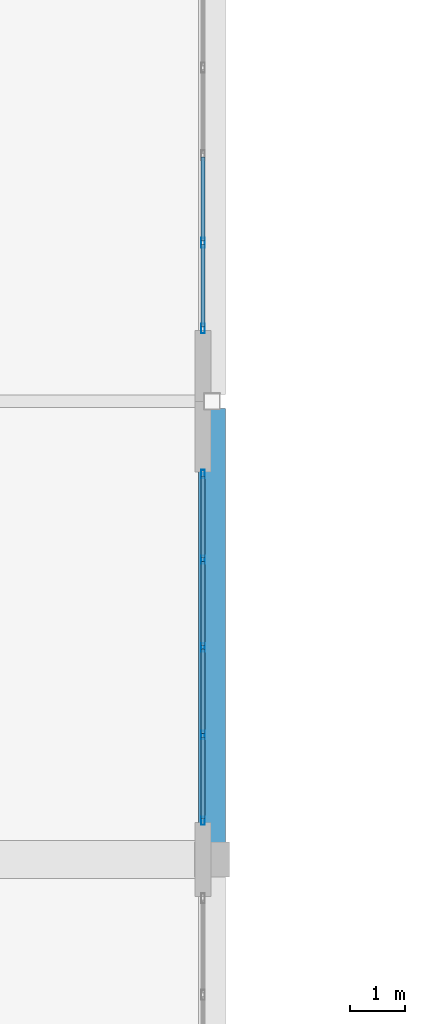
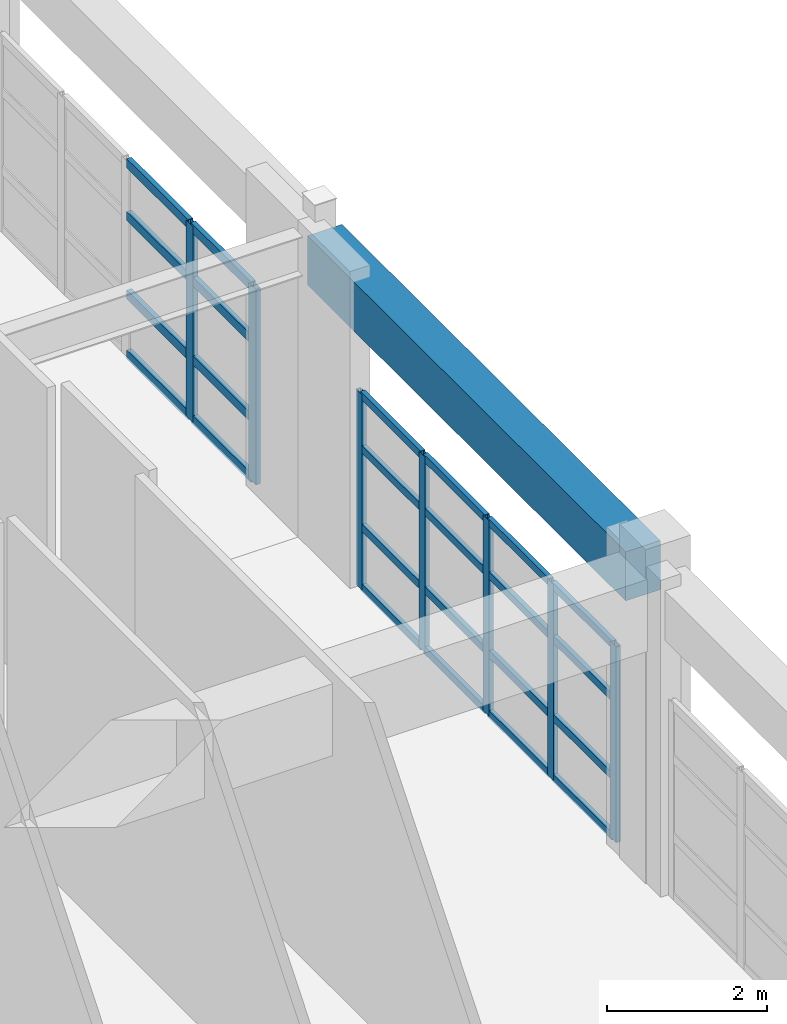
# One storey, part 18 of 78: 31 members, 1 beam, 2 elements without a shape of their own.
"""IFC4 building model written with IfcOpenShell, lengths in metres."""

from ifc_helpers import new_model, si_unit, direction, frame, origin, origin_2d, place, context, subcontext, project, spatial, rectangle, hollow_rectangle, extrude, material, layer, layer_set, material_profile, profile_set, type_object, element, aggregate, save


model = new_model("IFC4")

# Units and contexts
model_context = context("Model", 3, precision=1e-05, world=origin(), true_north=direction((0.0, 1.0)))
body_context = subcontext(model_context, "Body", "Model", "MODEL_VIEW")
ifc_project = project(units=[si_unit("LENGTHUNIT", "METRE"), si_unit("AREAUNIT", "SQUARE_METRE"), si_unit("VOLUMEUNIT", "CUBIC_METRE"), si_unit("PLANEANGLEUNIT", "RADIAN"), si_unit("MASSUNIT", "GRAM", prefix="KILO")], contexts=[model_context])

# Site, building, storey
site_placement = place(None, origin())
site = spatial("IfcSite", under=ifc_project, at=site_placement, CompositionType="ELEMENT")
building_placement = place(site_placement, origin())
building = spatial("IfcBuilding", under=site, at=building_placement, Name="Quendrovan Civic Courthouse", CompositionType="ELEMENT")
storey_placement = place(building_placement, frame((0.0, 0.0, 20.39990234375)))
storey = spatial("IfcBuildingStorey", under=building, at=storey_placement, Name="L05", CompositionType="ELEMENT", Elevation=20.39990234375)

# Beam
ifc_material_1 = material(Name="Concrete C40/50", Category="concrete")
ifc_material_profile_1 = material_profile(ifc_material_1, rectangle(XDim=0.5, YDim=0.75, at=origin_2d()), Name="RC-BM-500x750")
ifc_profile_set_1 = profile_set([ifc_material_profile_1], Name="Concrete C40/50")
beam_type = type_object("IfcBeamType", Name="BM-RC750", PredefinedType="SPANDREL", material=ifc_profile_set_1)
beam_placement = place(storey_placement, frame((16.800048828125, 48.304931640625, 4.28515625), z_axis=(0.0, 1.0, 0.0), x_axis=(-1.0, 0.0, 0.0)))
element("IfcBeam", 1, at=beam_placement, inside=storey, type_object=beam_type, Name="L05 Girder Y1068", PredefinedType="SPANDREL", context=body_context, shape_type="SweptSolid", body=[
    extrude(rectangle(XDim=0.5, YDim=0.75, at=origin_2d()), origin(), (0.0, 0.0, 1.0), 7.965087890625),
])

# Curtain wall, members
ifc_material_2 = material(Name="Bronze anodised aluminium and low-E glass", Category="aluminium")
ifc_layer = layer(ifc_material_2, 0.179931640625, Name="Bronze anodised aluminium and low-E glass")
ifc_layer_set = layer_set([ifc_layer], Name="Bronze anodised aluminium and low-E glass")
curtain_wall_type = type_object("IfcCurtainWallType", Name="CW-U64x30", PredefinedType="USERDEFINED", material=ifc_layer_set)
curtain_wall_1_placement = place(storey_placement, origin())
curtain_wall_1 = element("IfcCurtainWall", 2, at=curtain_wall_1_placement, inside=storey, type_object=curtain_wall_type, Name="L05 Unitised Hurricane Curtain Wall CW-184", ObjectType="UNITISED CURTAIN WALL", PredefinedType="USERDEFINED")
ifc_material_3 = material(Name="Bronze anodised aluminium", Category="aluminium")
ifc_material_profile_2 = material_profile(ifc_material_3, hollow_rectangle(XDim=0.070068359375, YDim=0.179931640625, WallThickness=0.00390625, at=origin_2d()), Name="CW-MULL-70x180")
ifc_profile_set_2 = profile_set([ifc_material_profile_2], Name="Bronze anodised aluminium")
member_type_1 = type_object("IfcMemberType", Name="CW-MULL-A", PredefinedType="MULLION", material=ifc_profile_set_2)
member_1_placement = place(storey_placement, frame((16.635009765625, 59.30615234375, 0.0), z_axis=(0.0, 0.0, 1.0), x_axis=(1.0, 0.0, 0.0)))
member_1 = element("IfcMember", 3, at=member_1_placement, type_object=member_type_1, Name="CW-184 mullion 4", PredefinedType="MULLION", context=body_context, shape_type="SweptSolid", body=[
    extrude(hollow_rectangle(XDim=0.070068359375, YDim=0.179931640625, WallThickness=0.00390625, at=origin_2d()), origin(), (0.0, 0.0, 1.0), 2.989990234375),
])
member_2_placement = place(storey_placement, frame((16.635009765625, 57.735107421875, 0.0), z_axis=(0.0, 0.0, 1.0), x_axis=(1.0, 0.0, 0.0)))
member_2 = element("IfcMember", 4, at=member_2_placement, type_object=member_type_1, Name="CW-184 mullion 5", PredefinedType="MULLION", context=body_context, shape_type="SweptSolid", body=[
    extrude(hollow_rectangle(XDim=0.070068359375, YDim=0.179931640625, WallThickness=0.00390625, at=origin_2d()), origin(), (0.0, 0.0, 1.0), 2.989990234375),
])

curtain_wall_2_placement = place(storey_placement, origin())
curtain_wall_2 = element("IfcCurtainWall", 5, at=curtain_wall_2_placement, inside=storey, type_object=curtain_wall_type, Name="L05 Unitised Hurricane Curtain Wall CW-185", ObjectType="UNITISED CURTAIN WALL", PredefinedType="USERDEFINED")
ifc_material_profile_3 = material_profile(ifc_material_3, hollow_rectangle(XDim=0.06494140625, YDim=0.14990234375, WallThickness=0.00390625, at=origin_2d()), Name="CW-MULL-65x150")
ifc_profile_set_3 = profile_set([ifc_material_profile_3], Name="Bronze anodised aluminium")
member_type_2 = type_object("IfcMemberType", Name="CW-MULL-B", PredefinedType="MULLION", material=ifc_profile_set_3)
member_3_placement = place(storey_placement, frame((16.635009765625, 55.0673828125, 0.0), z_axis=(0.0, 0.0, 1.0), x_axis=(1.0, 0.0, 0.0)))
member_3 = element("IfcMember", 6, at=member_3_placement, type_object=member_type_2, Name="CW-185 mullion 1", PredefinedType="MULLION", context=body_context, shape_type="SweptSolid", body=[
    extrude(hollow_rectangle(XDim=0.06494140625, YDim=0.14990234375, WallThickness=0.00390625, at=origin_2d()), origin(), (0.0, 0.0, 1.0), 2.989990234375),
])
member_4_placement = place(storey_placement, frame((16.635009765625, 53.49365234375, 0.0), z_axis=(0.0, 0.0, 1.0), x_axis=(1.0, 0.0, 0.0)))
member_4 = element("IfcMember", 7, at=member_4_placement, type_object=member_type_2, Name="CW-185 mullion 2", PredefinedType="MULLION", context=body_context, shape_type="SweptSolid", body=[
    extrude(hollow_rectangle(XDim=0.06494140625, YDim=0.14990234375, WallThickness=0.00390625, at=origin_2d()), origin(), (0.0, 0.0, 1.0), 2.989990234375),
])
member_5_placement = place(storey_placement, frame((16.635009765625, 51.887451171875, 0.0), z_axis=(0.0, 0.0, 1.0), x_axis=(1.0, 0.0, 0.0)))
member_5 = element("IfcMember", 8, at=member_5_placement, type_object=member_type_2, Name="CW-185 mullion 3", PredefinedType="MULLION", context=body_context, shape_type="SweptSolid", body=[
    extrude(hollow_rectangle(XDim=0.06494140625, YDim=0.14990234375, WallThickness=0.00390625, at=origin_2d()), origin(), (0.0, 0.0, 1.0), 2.989990234375),
])
member_6_placement = place(storey_placement, frame((16.635009765625, 50.28125, 0.0), z_axis=(0.0, 0.0, 1.0), x_axis=(1.0, 0.0, 0.0)))
member_6 = element("IfcMember", 9, at=member_6_placement, type_object=member_type_2, Name="CW-185 mullion 4", PredefinedType="MULLION", context=body_context, shape_type="SweptSolid", body=[
    extrude(hollow_rectangle(XDim=0.06494140625, YDim=0.14990234375, WallThickness=0.00390625, at=origin_2d()), origin(), (0.0, 0.0, 1.0), 2.989990234375),
])
member_7_placement = place(storey_placement, frame((16.635009765625, 48.70751953125, 0.0), z_axis=(0.0, 0.0, 1.0), x_axis=(1.0, 0.0, 0.0)))
member_7 = element("IfcMember", 10, at=member_7_placement, type_object=member_type_2, Name="CW-185 mullion 5", PredefinedType="MULLION", context=body_context, shape_type="SweptSolid", body=[
    extrude(hollow_rectangle(XDim=0.06494140625, YDim=0.14990234375, WallThickness=0.00390625, at=origin_2d()), origin(), (0.0, 0.0, 1.0), 2.989990234375),
])

# Member
ifc_material_profile_4 = material_profile(ifc_material_3, hollow_rectangle(XDim=0.070068359375, YDim=0.139892578125, WallThickness=0.00390625, at=origin_2d()), Name="CW-TRAN-70x140")
ifc_profile_set_4 = profile_set([ifc_material_profile_4], Name="Bronze anodised aluminium")
member_type_3 = type_object("IfcMemberType", Name="CW-TRAN-A", PredefinedType="USERDEFINED", material=ifc_profile_set_4)
member_8_placement = place(storey_placement, frame((16.635009765625, 60.87744140625, 0.03515625), z_axis=(0.0, -1.0, 0.0), x_axis=(1.0, 0.0, 0.0)))
member_8 = element("IfcMember", 11, at=member_8_placement, type_object=member_type_3, Name="CW-184 transom 3.1", ObjectType="TRANSOM", PredefinedType="USERDEFINED", context=body_context, shape_type="SweptSolid", body=[
    extrude(hollow_rectangle(XDim=0.070068359375, YDim=0.139892578125, WallThickness=0.00390625, at=origin_2d()), origin(), (0.0, 0.0, 1.0), 1.5361328125),
])

member_9_placement = place(storey_placement, frame((16.635009765625, 60.87744140625, 0.9501953125), z_axis=(0.0, -1.0, 0.0), x_axis=(1.0, 0.0, 0.0)))
member_9 = element("IfcMember", 12, at=member_9_placement, type_object=member_type_3, Name="CW-184 transom 3.2", ObjectType="TRANSOM", PredefinedType="USERDEFINED", context=body_context, shape_type="SweptSolid", body=[
    extrude(hollow_rectangle(XDim=0.070068359375, YDim=0.139892578125, WallThickness=0.00390625, at=origin_2d()), origin(), (0.0, 0.0, 1.0), 1.5361328125),
])

member_10_placement = place(storey_placement, frame((16.635009765625, 60.87744140625, 2.150146484375), z_axis=(0.0, -1.0, 0.0), x_axis=(1.0, 0.0, 0.0)))
member_10 = element("IfcMember", 13, at=member_10_placement, type_object=member_type_3, Name="CW-184 transom 3.3", ObjectType="TRANSOM", PredefinedType="USERDEFINED", context=body_context, shape_type="SweptSolid", body=[
    extrude(hollow_rectangle(XDim=0.070068359375, YDim=0.139892578125, WallThickness=0.00390625, at=origin_2d()), origin(), (0.0, 0.0, 1.0), 1.5361328125),
])

member_11_placement = place(storey_placement, frame((16.635009765625, 60.87744140625, 2.955078125), z_axis=(0.0, -1.0, 0.0), x_axis=(1.0, 0.0, 0.0)))
member_11 = element("IfcMember", 14, at=member_11_placement, type_object=member_type_3, Name="CW-184 transom 3.4", ObjectType="TRANSOM", PredefinedType="USERDEFINED", context=body_context, shape_type="SweptSolid", body=[
    extrude(hollow_rectangle(XDim=0.070068359375, YDim=0.139892578125, WallThickness=0.00390625, at=origin_2d()), origin(), (0.0, 0.0, 1.0), 1.5361328125),
])

member_12_placement = place(storey_placement, frame((16.635009765625, 59.271240234375, 0.03515625), z_axis=(0.0, -1.0, 0.0), x_axis=(1.0, 0.0, 0.0)))
member_12 = element("IfcMember", 15, at=member_12_placement, type_object=member_type_3, Name="CW-184 transom 4.1", ObjectType="TRANSOM", PredefinedType="USERDEFINED", context=body_context, shape_type="SweptSolid", body=[
    extrude(hollow_rectangle(XDim=0.070068359375, YDim=0.139892578125, WallThickness=0.00390625, at=origin_2d()), origin(), (0.0, 0.0, 1.0), 1.501220703125),
])

member_13_placement = place(storey_placement, frame((16.635009765625, 59.271240234375, 0.9501953125), z_axis=(0.0, -1.0, 0.0), x_axis=(1.0, 0.0, 0.0)))
member_13 = element("IfcMember", 16, at=member_13_placement, type_object=member_type_3, Name="CW-184 transom 4.2", ObjectType="TRANSOM", PredefinedType="USERDEFINED", context=body_context, shape_type="SweptSolid", body=[
    extrude(hollow_rectangle(XDim=0.070068359375, YDim=0.139892578125, WallThickness=0.00390625, at=origin_2d()), origin(), (0.0, 0.0, 1.0), 1.501220703125),
])

member_14_placement = place(storey_placement, frame((16.635009765625, 59.271240234375, 2.150146484375), z_axis=(0.0, -1.0, 0.0), x_axis=(1.0, 0.0, 0.0)))
member_14 = element("IfcMember", 17, at=member_14_placement, type_object=member_type_3, Name="CW-184 transom 4.3", ObjectType="TRANSOM", PredefinedType="USERDEFINED", context=body_context, shape_type="SweptSolid", body=[
    extrude(hollow_rectangle(XDim=0.070068359375, YDim=0.139892578125, WallThickness=0.00390625, at=origin_2d()), origin(), (0.0, 0.0, 1.0), 1.501220703125),
])

member_15_placement = place(storey_placement, frame((16.635009765625, 59.271240234375, 2.955078125), z_axis=(0.0, -1.0, 0.0), x_axis=(1.0, 0.0, 0.0)))
member_15 = element("IfcMember", 18, at=member_15_placement, type_object=member_type_3, Name="CW-184 transom 4.4", ObjectType="TRANSOM", PredefinedType="USERDEFINED", context=body_context, shape_type="SweptSolid", body=[
    extrude(hollow_rectangle(XDim=0.070068359375, YDim=0.139892578125, WallThickness=0.00390625, at=origin_2d()), origin(), (0.0, 0.0, 1.0), 1.501220703125),
])

aggregate(curtain_wall_1, [member_1, member_2, member_8, member_9, member_10, member_11, member_12, member_13, member_14, member_15])

ifc_material_profile_5 = material_profile(ifc_material_3, hollow_rectangle(XDim=0.06494140625, YDim=0.114990234375, WallThickness=0.00390625, at=origin_2d()), Name="CW-TRAN-65x115")
ifc_profile_set_5 = profile_set([ifc_material_profile_5], Name="Bronze anodised aluminium")
member_type_4 = type_object("IfcMemberType", Name="CW-TRAN-B", PredefinedType="USERDEFINED", material=ifc_profile_set_5)
member_16_placement = place(storey_placement, frame((16.635009765625, 55.034912109375, 0.03271484375), z_axis=(0.0, -1.0, 0.0), x_axis=(1.0, 0.0, 0.0)))
member_16 = element("IfcMember", 19, at=member_16_placement, type_object=member_type_4, Name="CW-185 transom 1.1", ObjectType="TRANSOM", PredefinedType="USERDEFINED", context=body_context, shape_type="SweptSolid", body=[
    extrude(hollow_rectangle(XDim=0.06494140625, YDim=0.114990234375, WallThickness=0.00390625, at=origin_2d()), origin(), (0.0, 0.0, 1.0), 1.508544921875),
])

member_17_placement = place(storey_placement, frame((16.635009765625, 55.034912109375, 0.9501953125), z_axis=(0.0, -1.0, 0.0), x_axis=(1.0, 0.0, 0.0)))
member_17 = element("IfcMember", 20, at=member_17_placement, type_object=member_type_4, Name="CW-185 transom 1.2", ObjectType="TRANSOM", PredefinedType="USERDEFINED", context=body_context, shape_type="SweptSolid", body=[
    extrude(hollow_rectangle(XDim=0.06494140625, YDim=0.114990234375, WallThickness=0.00390625, at=origin_2d()), origin(), (0.0, 0.0, 1.0), 1.508544921875),
])

member_18_placement = place(storey_placement, frame((16.635009765625, 55.034912109375, 2.150146484375), z_axis=(0.0, -1.0, 0.0), x_axis=(1.0, 0.0, 0.0)))
member_18 = element("IfcMember", 21, at=member_18_placement, type_object=member_type_4, Name="CW-185 transom 1.3", ObjectType="TRANSOM", PredefinedType="USERDEFINED", context=body_context, shape_type="SweptSolid", body=[
    extrude(hollow_rectangle(XDim=0.06494140625, YDim=0.114990234375, WallThickness=0.00390625, at=origin_2d()), origin(), (0.0, 0.0, 1.0), 1.508544921875),
])

member_19_placement = place(storey_placement, frame((16.635009765625, 55.034912109375, 2.95751953125), z_axis=(0.0, -1.0, 0.0), x_axis=(1.0, 0.0, 0.0)))
member_19 = element("IfcMember", 22, at=member_19_placement, type_object=member_type_4, Name="CW-185 transom 1.4", ObjectType="TRANSOM", PredefinedType="USERDEFINED", context=body_context, shape_type="SweptSolid", body=[
    extrude(hollow_rectangle(XDim=0.06494140625, YDim=0.114990234375, WallThickness=0.00390625, at=origin_2d()), origin(), (0.0, 0.0, 1.0), 1.508544921875),
])

member_20_placement = place(storey_placement, frame((16.635009765625, 53.461181640625, 0.03271484375), z_axis=(0.0, -1.0, 0.0), x_axis=(1.0, 0.0, 0.0)))
member_20 = element("IfcMember", 23, at=member_20_placement, type_object=member_type_4, Name="CW-185 transom 2.1", ObjectType="TRANSOM", PredefinedType="USERDEFINED", context=body_context, shape_type="SweptSolid", body=[
    extrude(hollow_rectangle(XDim=0.06494140625, YDim=0.114990234375, WallThickness=0.00390625, at=origin_2d()), origin(), (0.0, 0.0, 1.0), 1.541259765625),
])

member_21_placement = place(storey_placement, frame((16.635009765625, 53.461181640625, 0.9501953125), z_axis=(0.0, -1.0, 0.0), x_axis=(1.0, 0.0, 0.0)))
member_21 = element("IfcMember", 24, at=member_21_placement, type_object=member_type_4, Name="CW-185 transom 2.2", ObjectType="TRANSOM", PredefinedType="USERDEFINED", context=body_context, shape_type="SweptSolid", body=[
    extrude(hollow_rectangle(XDim=0.06494140625, YDim=0.114990234375, WallThickness=0.00390625, at=origin_2d()), origin(), (0.0, 0.0, 1.0), 1.541259765625),
])

member_22_placement = place(storey_placement, frame((16.635009765625, 53.461181640625, 2.150146484375), z_axis=(0.0, -1.0, 0.0), x_axis=(1.0, 0.0, 0.0)))
member_22 = element("IfcMember", 25, at=member_22_placement, type_object=member_type_4, Name="CW-185 transom 2.3", ObjectType="TRANSOM", PredefinedType="USERDEFINED", context=body_context, shape_type="SweptSolid", body=[
    extrude(hollow_rectangle(XDim=0.06494140625, YDim=0.114990234375, WallThickness=0.00390625, at=origin_2d()), origin(), (0.0, 0.0, 1.0), 1.541259765625),
])

member_23_placement = place(storey_placement, frame((16.635009765625, 53.461181640625, 2.95751953125), z_axis=(0.0, -1.0, 0.0), x_axis=(1.0, 0.0, 0.0)))
member_23 = element("IfcMember", 26, at=member_23_placement, type_object=member_type_4, Name="CW-185 transom 2.4", ObjectType="TRANSOM", PredefinedType="USERDEFINED", context=body_context, shape_type="SweptSolid", body=[
    extrude(hollow_rectangle(XDim=0.06494140625, YDim=0.114990234375, WallThickness=0.00390625, at=origin_2d()), origin(), (0.0, 0.0, 1.0), 1.541259765625),
])

member_24_placement = place(storey_placement, frame((16.635009765625, 51.85498046875, 0.03271484375), z_axis=(0.0, -1.0, 0.0), x_axis=(1.0, 0.0, 0.0)))
member_24 = element("IfcMember", 27, at=member_24_placement, type_object=member_type_4, Name="CW-185 transom 3.1", ObjectType="TRANSOM", PredefinedType="USERDEFINED", context=body_context, shape_type="SweptSolid", body=[
    extrude(hollow_rectangle(XDim=0.06494140625, YDim=0.114990234375, WallThickness=0.00390625, at=origin_2d()), origin(), (0.0, 0.0, 1.0), 1.541259765625),
])

member_25_placement = place(storey_placement, frame((16.635009765625, 51.85498046875, 0.9501953125), z_axis=(0.0, -1.0, 0.0), x_axis=(1.0, 0.0, 0.0)))
member_25 = element("IfcMember", 28, at=member_25_placement, type_object=member_type_4, Name="CW-185 transom 3.2", ObjectType="TRANSOM", PredefinedType="USERDEFINED", context=body_context, shape_type="SweptSolid", body=[
    extrude(hollow_rectangle(XDim=0.06494140625, YDim=0.114990234375, WallThickness=0.00390625, at=origin_2d()), origin(), (0.0, 0.0, 1.0), 1.541259765625),
])

member_26_placement = place(storey_placement, frame((16.635009765625, 51.85498046875, 2.150146484375), z_axis=(0.0, -1.0, 0.0), x_axis=(1.0, 0.0, 0.0)))
member_26 = element("IfcMember", 29, at=member_26_placement, type_object=member_type_4, Name="CW-185 transom 3.3", ObjectType="TRANSOM", PredefinedType="USERDEFINED", context=body_context, shape_type="SweptSolid", body=[
    extrude(hollow_rectangle(XDim=0.06494140625, YDim=0.114990234375, WallThickness=0.00390625, at=origin_2d()), origin(), (0.0, 0.0, 1.0), 1.541259765625),
])

member_27_placement = place(storey_placement, frame((16.635009765625, 51.85498046875, 2.95751953125), z_axis=(0.0, -1.0, 0.0), x_axis=(1.0, 0.0, 0.0)))
member_27 = element("IfcMember", 30, at=member_27_placement, type_object=member_type_4, Name="CW-185 transom 3.4", ObjectType="TRANSOM", PredefinedType="USERDEFINED", context=body_context, shape_type="SweptSolid", body=[
    extrude(hollow_rectangle(XDim=0.06494140625, YDim=0.114990234375, WallThickness=0.00390625, at=origin_2d()), origin(), (0.0, 0.0, 1.0), 1.541259765625),
])

member_28_placement = place(storey_placement, frame((16.635009765625, 50.248779296875, 0.03271484375), z_axis=(0.0, -1.0, 0.0), x_axis=(1.0, 0.0, 0.0)))
member_28 = element("IfcMember", 31, at=member_28_placement, type_object=member_type_4, Name="CW-185 transom 4.1", ObjectType="TRANSOM", PredefinedType="USERDEFINED", context=body_context, shape_type="SweptSolid", body=[
    extrude(hollow_rectangle(XDim=0.06494140625, YDim=0.114990234375, WallThickness=0.00390625, at=origin_2d()), origin(), (0.0, 0.0, 1.0), 1.5087890625),
])

member_29_placement = place(storey_placement, frame((16.635009765625, 50.248779296875, 0.9501953125), z_axis=(0.0, -1.0, 0.0), x_axis=(1.0, 0.0, 0.0)))
member_29 = element("IfcMember", 32, at=member_29_placement, type_object=member_type_4, Name="CW-185 transom 4.2", ObjectType="TRANSOM", PredefinedType="USERDEFINED", context=body_context, shape_type="SweptSolid", body=[
    extrude(hollow_rectangle(XDim=0.06494140625, YDim=0.114990234375, WallThickness=0.00390625, at=origin_2d()), origin(), (0.0, 0.0, 1.0), 1.5087890625),
])

member_30_placement = place(storey_placement, frame((16.635009765625, 50.248779296875, 2.150146484375), z_axis=(0.0, -1.0, 0.0), x_axis=(1.0, 0.0, 0.0)))
member_30 = element("IfcMember", 33, at=member_30_placement, type_object=member_type_4, Name="CW-185 transom 4.3", ObjectType="TRANSOM", PredefinedType="USERDEFINED", context=body_context, shape_type="SweptSolid", body=[
    extrude(hollow_rectangle(XDim=0.06494140625, YDim=0.114990234375, WallThickness=0.00390625, at=origin_2d()), origin(), (0.0, 0.0, 1.0), 1.5087890625),
])

member_31_placement = place(storey_placement, frame((16.635009765625, 50.248779296875, 2.95751953125), z_axis=(0.0, -1.0, 0.0), x_axis=(1.0, 0.0, 0.0)))
member_31 = element("IfcMember", 34, at=member_31_placement, type_object=member_type_4, Name="CW-185 transom 4.4", ObjectType="TRANSOM", PredefinedType="USERDEFINED", context=body_context, shape_type="SweptSolid", body=[
    extrude(hollow_rectangle(XDim=0.06494140625, YDim=0.114990234375, WallThickness=0.00390625, at=origin_2d()), origin(), (0.0, 0.0, 1.0), 1.5087890625),
])

aggregate(curtain_wall_2, [member_3, member_4, member_5, member_6, member_7, member_16, member_17, member_18, member_19, member_20, member_21, member_22, member_23, member_24, member_25, member_26, member_27, member_28, member_29, member_30, member_31])

save(model, "model.ifc")
